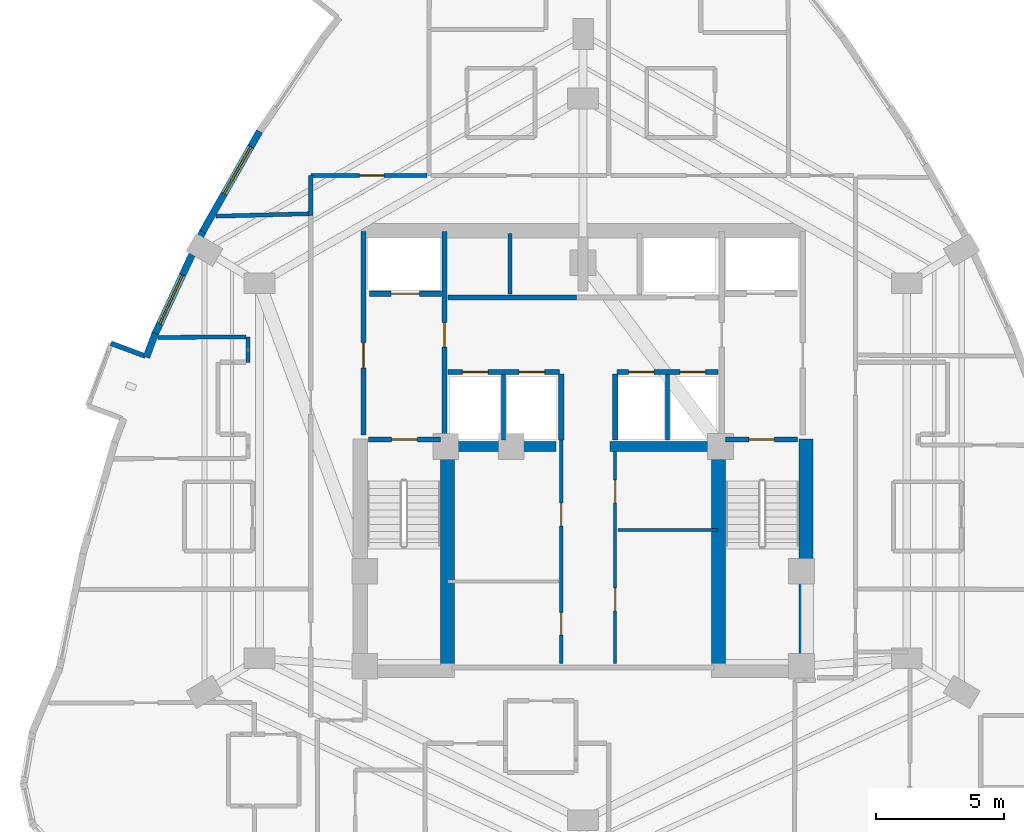
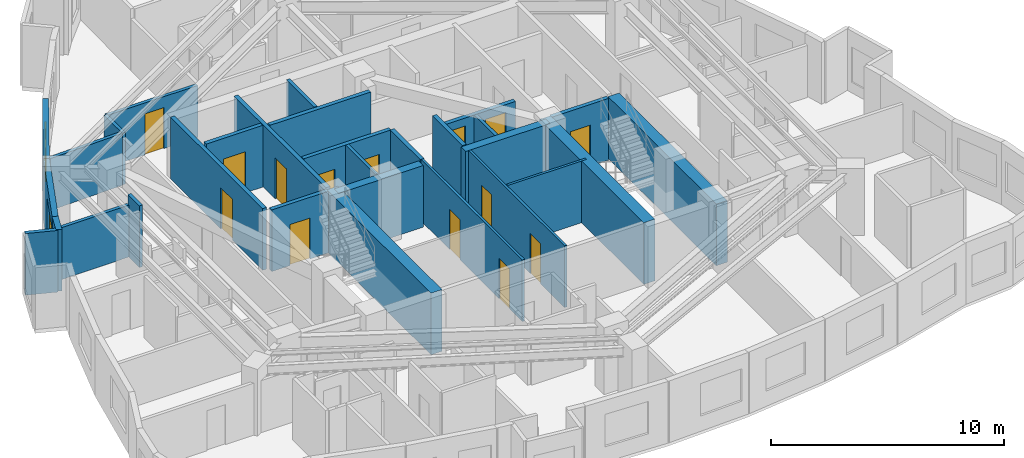
# One storey, part 10 of 14: 30 walls, 14 doors, 2 windows, 16 openings.
"""IFC4 building model written with IfcOpenShell, lengths in metres."""

from ifc_helpers import new_model, si_unit, direction, frame, frame_2d, origin, place, context, subcontext, project, spatial, rectangle, extrude, material, layer, layer_set, type_object, element, fill, save


model = new_model("IFC4")

# Units and contexts
model_context = context("Model", 3, precision=1e-05, world=origin(), true_north=direction((0.0, 1.0)))
body_context = subcontext(model_context, "Body", "Model", "MODEL_VIEW")
ifc_project = project(units=[si_unit("LENGTHUNIT", "METRE"), si_unit("AREAUNIT", "SQUARE_METRE"), si_unit("VOLUMEUNIT", "CUBIC_METRE"), si_unit("PLANEANGLEUNIT", "RADIAN"), si_unit("MASSUNIT", "GRAM", prefix="KILO")], contexts=[model_context])

# Site, building, storey
site_placement = place(None, origin())
site = spatial("IfcSite", under=ifc_project, at=site_placement, CompositionType="ELEMENT")
building_placement = place(site_placement, origin())
building = spatial("IfcBuilding", under=site, at=building_placement, Name="Miruveldt Soraemaru", CompositionType="ELEMENT")
storey_placement = place(building_placement, frame((0.0, 0.0, 128.39990234375)))
storey = spatial("IfcBuildingStorey", under=building, at=storey_placement, Name="L35", CompositionType="ELEMENT", Elevation=128.39990234375)

# Walls
ifc_material_1 = material(Name="White powder-coated aluminium EN AW-6060 T6", Category="aluminium")
ifc_layer_1 = layer(ifc_material_1, 0.18994140625, Name="White powder-coated aluminium EN AW-6060 T6", Category="aluminium")
ifc_layer_set_1 = layer_set([ifc_layer_1], Name="White powder-coated aluminium EN AW-6060 T6")
wall_type_1 = type_object("IfcWallType", Name="WALL-BAY-ALU190", PredefinedType="SOLIDWALL", material=ifc_layer_set_1)
wall_1_placement = place(storey_placement, frame((26.95556640625, 47.57373046875, 0.0), z_axis=(0.0, 0.0, 1.0), x_axis=(-0.937129361406, 0.348982177182, 0.0)))
element("IfcWall", 1, at=wall_1_placement, inside=storey, type_object=wall_type_1, Name="L35 Bay Window Side Cheek 2L", PredefinedType="SOLIDWALL", context=body_context, shape_type="SweptSolid", body=[
    extrude(rectangle(XDim=1.425048828125, YDim=0.18994140625, at=frame_2d((0.71240234375, 0.0))), origin(), (0.0, 0.0, 1.0), 3.235107421875),
])
ifc_material_2 = material(Name="Concrete C70/85 (70 MPa)", Category="concrete")
ifc_layer_2 = layer(ifc_material_2, 0.5, Name="Concrete C70/85 (70 MPa)", Category="concrete")
ifc_layer_set_2 = layer_set([ifc_layer_2], Name="Concrete C70/85 (70 MPa)")
wall_type_2 = type_object("IfcWallType", Name="WALL-BW-500", PredefinedType="SHEAR", material=ifc_layer_set_2)
for number, where, z_axis, x_axis, name in (
    (2, (38.75, 44.050048828125, 0.0), (0.0, 0.0, 1.0), (1.0, 0.0, 0.0), "L35 Core Buttress Shear Wall BW"),
    (3, (45.050048828125, 44.050048828125, 0.0), (0.0, 0.0, 1.0), (1.0, 0.0, 0.0), "L35 Core Buttress Shear Wall BE"),
):
    element("IfcWall", number, at=place(storey_placement, frame(where, z_axis=z_axis, x_axis=x_axis)), inside=storey, type_object=wall_type_2, Name=name, PredefinedType="SHEAR", context=body_context, shape_type="SweptSolid", body=[
        extrude(rectangle(XDim=4.199951171875, YDim=0.39990234375, at=frame_2d((2.10009765625, 0.0))), origin(), (0.0, 0.0, 1.0), 3.235107421875),
    ])
ifc_layer_3 = layer(ifc_material_2, 0.550048828125, Name="Concrete C70/85 (70 MPa)", Category="concrete")
ifc_layer_set_3 = layer_set([ifc_layer_3], Name="Concrete C70/85 (70 MPa)")
wall_type_3 = type_object("IfcWallType", Name="WALL-CW-550", PredefinedType="SHEAR", material=ifc_layer_set_3)
wall_2_placement = place(storey_placement, frame((52.675048828125, 35.050048828125, 0.0), z_axis=(0.0, 0.0, 1.0), x_axis=(0.0, 1.0, 0.0)))
element("IfcWall", 4, at=wall_2_placement, inside=storey, type_object=wall_type_3, Name="L35 Central Core Shear Wall E1", PredefinedType="SHEAR", context=body_context, shape_type="SweptSolid", body=[
    extrude(rectangle(XDim=9.300048828125, YDim=0.550048828125, at=frame_2d((4.64990234375, 0.0))), origin(), (0.0, 0.0, 1.0), 3.235107421875),
])
for number, where, z_axis, x_axis, name in (
    (5, (38.72509765625, 35.39990234375, 0.0), (0.0, 0.0, 1.0), (0.0, 1.0, 0.0), "L35 Central Core Shear Wall SW-INT"),
    (6, (49.27490234375, 35.39990234375, 0.0), (0.0, 0.0, 1.0), (0.0, 1.0, 0.0), "L35 Central Core Shear Wall SE-INT"),
):
    element("IfcWall", number, at=place(storey_placement, frame(where, z_axis=z_axis, x_axis=x_axis)), inside=storey, type_object=wall_type_3, Name=name, PredefinedType="SHEAR", context=body_context, shape_type="SweptSolid", body=[
        extrude(rectangle(XDim=8.9501953125, YDim=0.550048828125, at=frame_2d((4.47509765625, 0.0))), origin(), (0.0, 0.0, 1.0), 3.235107421875),
    ])

# Wall, opening, window
ifc_material_3 = material(Name="Precast concrete C45/55 (45 MPa)", Category="concrete")
ifc_layer_4 = layer(ifc_material_3, 0.27001953125, Name="Precast concrete C45/55 (45 MPa)", Category="concrete")
ifc_layer_set_4 = layer_set([ifc_layer_4], Name="Precast concrete C45/55 (45 MPa)")
wall_type_4 = type_object("IfcWallType", Name="WALL-EXT-PC270", PredefinedType="SOLIDWALL", material=ifc_layer_set_4)
wall_3_placement = place(storey_placement, frame((31.40380859375, 56.32177734375, 0.0), z_axis=(0.0, 0.0, 1.0), x_axis=(-0.493401387578, -0.869801742201, 0.0)))
wall_3 = element("IfcWall", 7, at=wall_3_placement, inside=storey, type_object=wall_type_4, Name="L35 Precast Concrete Facade Wall 10", PredefinedType="SOLIDWALL", context=body_context, shape_type="SweptSolid", body=[
    extrude(rectangle(XDim=4.498779296875, YDim=0.27001953125, at=frame_2d((2.24951171875, 0.0))), origin(), (0.0, 0.0, 1.0), 3.235107421875),
])
opening_1_placement = place(wall_3_placement, frame((0.68701171875, 0.0, 0.800048828125)))
opening_1 = element("IfcOpeningElement", 8, at=opening_1_placement, cuts=wall_3, Name="Opening WN-1", PredefinedType="OPENING", context=body_context, shape_type="SweptSolid", body=[
    extrude(rectangle(XDim=2.10009765625, YDim=1.699951171875, at=frame_2d((1.050048828125, 0.85009765625))), frame((0.0, 0.14501953125, 0.0), z_axis=(0.0, -1.0, 0.0), x_axis=(1.0, 0.0, 0.0)), (0.0, 0.0, 1.0), 0.2900390625),
])
ifc_material_4 = material(Name="Triple low-e insulated glazing", Category="glass")
window_type = type_object("IfcWindowType", Name="WIN-PUNCH-2100x1700", PartitioningType="SINGLE_PANEL", PredefinedType="WINDOW", material=ifc_material_4)
window_1_placement = place(opening_1_placement, origin())
window_1 = element("IfcWindow", 9, at=window_1_placement, inside=storey, type_object=window_type, Name="L35 Punched Triple-Glazed Window 10.1", OverallHeight=1.699951171875, OverallWidth=2.10009765625, PartitioningType="SINGLE_PANEL", PredefinedType="WINDOW", context=body_context, shape_type="SweptSolid", body=[
    extrude(rectangle(XDim=2.10009765625, YDim=1.699951171875, at=frame_2d((1.050048828125, 0.85009765625))), frame((0.0, 0.030029296875, 0.0), z_axis=(0.0, -1.0, 0.0), x_axis=(1.0, 0.0, 0.0)), (0.0, 0.0, 1.0), 0.06005859375),
])
fill(opening_1, window_1)

wall_4_placement = place(storey_placement, frame((29.21630859375, 52.470703125, 0.0), z_axis=(0.0, 0.0, 1.0), x_axis=(-0.422317939259, -0.90644776914, 0.0)))
wall_4 = element("IfcWall", 10, at=wall_4_placement, inside=storey, type_object=wall_type_4, Name="L35 Precast Concrete Facade Wall 11", PredefinedType="SOLIDWALL", context=body_context, shape_type="SweptSolid", body=[
    extrude(rectangle(XDim=4.498779296875, YDim=0.27001953125, at=frame_2d((2.24951171875, 0.0))), origin(), (0.0, 0.0, 1.0), 3.235107421875),
])
opening_2_placement = place(wall_4_placement, frame((1.9189453125, 0.0, 0.800048828125)))
opening_2 = element("IfcOpeningElement", 11, at=opening_2_placement, cuts=wall_4, Name="Opening WN-1", PredefinedType="OPENING", context=body_context, shape_type="SweptSolid", body=[
    extrude(rectangle(XDim=2.10009765625, YDim=1.699951171875, at=frame_2d((1.050048828125, 0.85009765625))), frame((0.0, 0.14501953125, 0.0), z_axis=(0.0, -1.0, 0.0), x_axis=(1.0, 0.0, 0.0)), (0.0, 0.0, 1.0), 0.2900390625),
])
window_2_placement = place(opening_2_placement, origin())
window_2 = element("IfcWindow", 12, at=window_2_placement, inside=storey, type_object=window_type, Name="L35 Punched Triple-Glazed Window 11.1", OverallHeight=1.699951171875, OverallWidth=2.10009765625, PartitioningType="SINGLE_PANEL", PredefinedType="WINDOW", context=body_context, shape_type="SweptSolid", body=[
    extrude(rectangle(XDim=2.10009765625, YDim=1.699951171875, at=frame_2d((1.050048828125, 0.85009765625))), frame((0.0, 0.030029296875, 0.0), z_axis=(0.0, -1.0, 0.0), x_axis=(1.0, 0.0, 0.0)), (0.0, 0.0, 1.0), 0.06005859375),
])
fill(opening_2, window_2)

# Wall
wall_5_placement = place(storey_placement, frame((27.343505859375, 48.45751953125, 0.0), z_axis=(0.0, 0.0, 1.0), x_axis=(-0.349130174938, -0.937074234492, 0.0)))
element("IfcWall", 13, at=wall_5_placement, inside=storey, type_object=wall_type_4, Name="L35 Precast Pier Wall 12A", PredefinedType="SOLIDWALL", context=body_context, shape_type="SweptSolid", body=[
    extrude(rectangle(XDim=0.99365234375, YDim=0.27001953125, at=frame_2d((0.496826171875, 0.0))), origin(), (0.0, 0.0, 1.0), 3.235107421875),
])

# Wall, openings, doors
ifc_material_5 = material(Name="Gypsum plasterboard lining", Category="gypsum")
ifc_layer_5 = layer(ifc_material_5, 0.1201171875, Name="Gypsum plasterboard lining", Category="gypsum")
ifc_layer_set_5 = layer_set([ifc_layer_5], Name="Gypsum plasterboard lining")
wall_type_5 = type_object("IfcWallType", Name="WALL-INT-P120", PredefinedType="PARTITIONING", material=ifc_layer_set_5)
wall_6_placement = place(storey_placement, frame((43.14990234375, 35.60009765625, 0.0), z_axis=(0.0, 0.0, 1.0), x_axis=(0.0, 1.0, 0.0)))
wall_6 = element("IfcWall", 14, at=wall_6_placement, inside=storey, type_object=wall_type_5, Name="L35 Core Compartment Wall SP-WL", PredefinedType="PARTITIONING", context=body_context, shape_type="SweptSolid", body=[
    extrude(rectangle(XDim=8.699951171875, YDim=0.1201171875, at=frame_2d((4.35009765625, 0.0))), origin(), (0.0, 0.0, 1.0), 3.235107421875),
])
opening_3_placement = place(wall_6_placement, frame((1.110107421875, 0.0, 0.0)))
opening_3 = element("IfcOpeningElement", 15, at=opening_3_placement, cuts=wall_6, Name="Opening D4", PredefinedType="OPENING", context=body_context, shape_type="SweptSolid", body=[
    extrude(rectangle(XDim=0.8798828125, YDim=2.10009765625, at=frame_2d((0.43994140625, 1.050048828125))), frame((0.0, 0.070068359375, 0.0), z_axis=(0.0, -1.0, 0.0), x_axis=(1.0, 0.0, 0.0)), (0.0, 0.0, 1.0), 0.14013671875),
])
opening_4_placement = place(wall_6_placement, frame((5.35009765625, 0.0, 0.0)))
opening_4 = element("IfcOpeningElement", 16, at=opening_4_placement, cuts=wall_6, Name="Opening D3", PredefinedType="OPENING", context=body_context, shape_type="SweptSolid", body=[
    extrude(rectangle(XDim=0.89990234375, YDim=2.10009765625, at=frame_2d((0.449951171875, 1.050048828125))), frame((0.0, 0.070068359375, 0.0), z_axis=(0.0, -1.0, 0.0), x_axis=(1.0, 0.0, 0.0)), (0.0, 0.0, 1.0), 0.14013671875),
])
ifc_material_6 = material(Name="Anodised aluminium EN AW-6063 T6", Category="aluminium")
door_type_1 = type_object("IfcDoorType", Name="DOOR-INT-880", OperationType="NOTDEFINED", PredefinedType="DOOR", material=ifc_material_6)
door_1_placement = place(opening_3_placement, origin())
door_1 = element("IfcDoor", 17, at=door_1_placement, inside=storey, type_object=door_type_1, Name="L35 Fire Door", OperationType="SINGLE_SWING_LEFT", OverallHeight=2.10009765625, OverallWidth=0.8798828125, PredefinedType="DOOR", context=body_context, shape_type="SweptSolid", body=[
    extrude(rectangle(XDim=0.8798828125, YDim=2.10009765625, at=frame_2d((0.43994140625, 1.050048828125))), frame((0.0, 0.02490234375, 0.0), z_axis=(0.0, -1.0, 0.0), x_axis=(1.0, 0.0, 0.0)), (0.0, 0.0, 1.0), 0.050048828125),
])
fill(opening_3, door_1)
door_type_2 = type_object("IfcDoorType", Name="DOOR-INT-900", OperationType="NOTDEFINED", PredefinedType="DOOR", material=ifc_material_6)
door_2_placement = place(opening_4_placement, origin())
door_2 = element("IfcDoor", 18, at=door_2_placement, inside=storey, type_object=door_type_2, Name="L35 Fire Door", OperationType="SINGLE_SWING_LEFT", OverallHeight=2.10009765625, OverallWidth=0.89990234375, PredefinedType="DOOR", context=body_context, shape_type="SweptSolid", body=[
    extrude(rectangle(XDim=0.89990234375, YDim=2.10009765625, at=frame_2d((0.449951171875, 1.050048828125))), frame((0.0, 0.02490234375, 0.0), z_axis=(0.0, -1.0, 0.0), x_axis=(1.0, 0.0, 0.0)), (0.0, 0.0, 1.0), 0.050048828125),
])
fill(opening_4, door_2)

wall_7_placement = place(storey_placement, frame((45.25, 35.60009765625, 0.0), z_axis=(0.0, 0.0, 1.0), x_axis=(0.0, 1.0, 0.0)))
wall_7 = element("IfcWall", 19, at=wall_7_placement, inside=storey, type_object=wall_type_5, Name="L35 Core Compartment Wall SP-EL", PredefinedType="PARTITIONING", context=body_context, shape_type="SweptSolid", body=[
    extrude(rectangle(XDim=8.25, YDim=0.1201171875, at=frame_2d((4.125, 0.0))), origin(), (0.0, 0.0, 1.0), 3.235107421875),
])
opening_5_placement = place(wall_7_placement, frame((2.050048828125, 0.0, 0.0)))
opening_5 = element("IfcOpeningElement", 20, at=opening_5_placement, cuts=wall_7, Name="Opening D3", PredefinedType="OPENING", context=body_context, shape_type="SweptSolid", body=[
    extrude(rectangle(XDim=0.89990234375, YDim=2.10009765625, at=frame_2d((0.449951171875, 1.050048828125))), frame((0.0, 0.070068359375, 0.0), z_axis=(0.0, -1.0, 0.0), x_axis=(1.0, 0.0, 0.0)), (0.0, 0.0, 1.0), 0.14013671875),
])
opening_6_placement = place(wall_7_placement, frame((6.260009765625, 0.0, 0.0)))
opening_6 = element("IfcOpeningElement", 21, at=opening_6_placement, cuts=wall_7, Name="Opening D4", PredefinedType="OPENING", context=body_context, shape_type="SweptSolid", body=[
    extrude(rectangle(XDim=0.8798828125, YDim=2.10009765625, at=frame_2d((0.43994140625, 1.050048828125))), frame((0.0, 0.070068359375, 0.0), z_axis=(0.0, -1.0, 0.0), x_axis=(1.0, 0.0, 0.0)), (0.0, 0.0, 1.0), 0.14013671875),
])
door_3_placement = place(opening_6_placement, origin())
door_3 = element("IfcDoor", 22, at=door_3_placement, inside=storey, type_object=door_type_1, Name="L35 Fire Door", OperationType="SINGLE_SWING_LEFT", OverallHeight=2.10009765625, OverallWidth=0.8798828125, PredefinedType="DOOR", context=body_context, shape_type="SweptSolid", body=[
    extrude(rectangle(XDim=0.8798828125, YDim=2.10009765625, at=frame_2d((0.43994140625, 1.050048828125))), frame((0.0, 0.02490234375, 0.0), z_axis=(0.0, -1.0, 0.0), x_axis=(1.0, 0.0, 0.0)), (0.0, 0.0, 1.0), 0.050048828125),
])
fill(opening_6, door_3)
door_4_placement = place(opening_5_placement, origin())
door_4 = element("IfcDoor", 23, at=door_4_placement, inside=storey, type_object=door_type_2, Name="L35 Fire Door", OperationType="SINGLE_SWING_LEFT", OverallHeight=2.10009765625, OverallWidth=0.89990234375, PredefinedType="DOOR", context=body_context, shape_type="SweptSolid", body=[
    extrude(rectangle(XDim=0.89990234375, YDim=2.10009765625, at=frame_2d((0.449951171875, 1.050048828125))), frame((0.0, 0.02490234375, 0.0), z_axis=(0.0, -1.0, 0.0), x_axis=(1.0, 0.0, 0.0)), (0.0, 0.0, 1.0), 0.050048828125),
])
fill(opening_5, door_4)

# Wall
wall_8_placement = place(storey_placement, frame((45.35009765625, 40.800048828125, 0.0), z_axis=(0.0, 0.0, 1.0), x_axis=(1.0, 0.0, 0.0)))
element("IfcWall", 24, at=wall_8_placement, inside=storey, type_object=wall_type_5, Name="L35 Core Compartment Wall RL-E2H", PredefinedType="PARTITIONING", context=body_context, shape_type="SweptSolid", body=[
    extrude(rectangle(XDim=3.89990234375, YDim=0.1201171875, at=frame_2d((1.949951171875, 0.0))), origin(), (0.0, 0.0, 1.0), 3.235107421875),
])

# Wall, opening, door
ifc_material_7 = material(Name="Concrete C40/50 (40 MPa)", Category="concrete")
ifc_layer_6 = layer(ifc_material_7, 0.159912109375, Name="Concrete C40/50 (40 MPa)", Category="concrete")
ifc_layer_set_6 = layer_set([ifc_layer_6], Name="Concrete C40/50 (40 MPa)")
wall_type_6 = type_object("IfcWallType", Name="WALL-INT-RC160", PredefinedType="SOLIDWALL", material=ifc_layer_set_6)
wall_9_placement = place(storey_placement, frame((37.9169921875, 54.60009765625, 0.0), z_axis=(0.0, 0.0, 1.0), x_axis=(-1.0, 0.0, 0.0)))
wall_9 = element("IfcWall", 25, at=wall_9_placement, inside=storey, type_object=wall_type_6, Name="L35 Partition Wall 1", PredefinedType="SOLIDWALL", context=body_context, shape_type="SweptSolid", body=[
    extrude(rectangle(XDim=4.51708984375, YDim=0.159912109375, at=frame_2d((2.258544921875, 0.0))), origin(), (0.0, 0.0, 1.0), 2.72314453125),
])
opening_7_placement = place(wall_9_placement, frame((1.674072265625, 0.0, 0.0)))
opening_7 = element("IfcOpeningElement", 26, at=opening_7_placement, cuts=wall_9, Name="Opening FD2", PredefinedType="OPENING", context=body_context, shape_type="SweptSolid", body=[
    extrude(rectangle(XDim=0.949951171875, YDim=2.14990234375, at=frame_2d((0.47509765625, 1.074951171875))), frame((0.0, 0.08984375, 0.0), z_axis=(0.0, -1.0, 0.0), x_axis=(1.0, 0.0, 0.0)), (0.0, 0.0, 1.0), 0.179931640625),
])
door_type_3 = type_object("IfcDoorType", Name="DOOR-FD2-950", OperationType="NOTDEFINED", PredefinedType="DOOR", material=ifc_material_6)
door_5_placement = place(opening_7_placement, origin())
door_5 = element("IfcDoor", 27, at=door_5_placement, inside=storey, type_object=door_type_3, Name="L35 Unit CL01 Entrance Fire Door", OperationType="SINGLE_SWING_LEFT", OverallHeight=2.14990234375, OverallWidth=0.949951171875, PredefinedType="DOOR", context=body_context, shape_type="SweptSolid", body=[
    extrude(rectangle(XDim=0.949951171875, YDim=2.14990234375, at=frame_2d((0.47509765625, 1.074951171875))), frame((0.0, 0.02490234375, 0.0), z_axis=(0.0, -1.0, 0.0), x_axis=(1.0, 0.0, 0.0)), (0.0, 0.0, 1.0), 0.050048828125),
])
fill(opening_7, door_5)

# Walls
wall_10_placement = place(storey_placement, frame((29.701904296875, 53.01708984375, 0.0), z_axis=(0.0, 0.0, 1.0), x_axis=(0.999649675951, 0.026467439844, 0.0)))
element("IfcWall", 28, at=wall_10_placement, inside=storey, type_object=wall_type_6, Name="L35 Partition Wall 16", PredefinedType="SOLIDWALL", context=body_context, shape_type="SweptSolid", body=[
    extrude(rectangle(XDim=3.63427734375, YDim=0.159912109375, at=frame_2d((1.817138671875, 0.0))), origin(), (0.0, 0.0, 1.0), 2.72314453125),
])
wall_11_placement = place(storey_placement, frame((27.444091796875, 48.297119140625, 0.0), z_axis=(0.0, 0.0, 1.0), x_axis=(0.999977565828, 0.006698346126, 0.0)))
element("IfcWall", 29, at=wall_11_placement, inside=storey, type_object=wall_type_6, Name="L35 Partition Wall 42", PredefinedType="SOLIDWALL", context=body_context, shape_type="SweptSolid", body=[
    extrude(rectangle(XDim=3.426025390625, YDim=0.159912109375, at=frame_2d((1.712890625, 0.0))), origin(), (0.0, 0.0, 1.0), 2.72314453125),
])
wall_12_placement = place(storey_placement, frame((40.89990234375, 44.300048828125, 0.0), z_axis=(0.0, 0.0, 1.0), x_axis=(0.0, 1.0, 0.0)))
element("IfcWall", 30, at=wall_12_placement, inside=storey, type_object=wall_type_6, Name="L35 Core Compartment Wall PLM-DW", PredefinedType="SOLIDWALL", context=body_context, shape_type="SweptSolid", body=[
    extrude(rectangle(XDim=2.550048828125, YDim=0.159912109375, at=frame_2d((1.27490234375, 0.0))), origin(), (0.0, 0.0, 1.0), 3.235107421875),
])
wall_13_placement = place(storey_placement, frame((47.280029296875, 44.300048828125, 0.0), z_axis=(0.0, 0.0, 1.0), x_axis=(0.0, 1.0, 0.0)))
element("IfcWall", 31, at=wall_13_placement, inside=storey, type_object=wall_type_6, Name="L35 Core Compartment Wall PLM-DE", PredefinedType="SOLIDWALL", context=body_context, shape_type="SweptSolid", body=[
    extrude(rectangle(XDim=2.550048828125, YDim=0.159912109375, at=frame_2d((1.27490234375, 0.0))), origin(), (0.0, 0.0, 1.0), 2.572998046875),
])
wall_14_placement = place(storey_placement, frame((41.14990234375, 49.97998046875, 0.0), z_axis=(0.0, 0.0, 1.0), x_axis=(0.0, 1.0, 0.0)))
element("IfcWall", 32, at=wall_14_placement, inside=storey, type_object=wall_type_6, Name="L35 Core Compartment Wall PLH-DIV1", PredefinedType="SOLIDWALL", context=body_context, shape_type="SweptSolid", body=[
    extrude(rectangle(XDim=2.3701171875, YDim=0.159912109375, at=frame_2d((1.18505859375, 0.0))), origin(), (0.0, 0.0, 1.0), 3.235107421875),
])
wall_15_placement = place(storey_placement, frame((33.39990234375, 54.60009765625, 0.0), z_axis=(0.0, 0.0, 1.0), x_axis=(0.0, -1.0, 0.0)))
element("IfcWall", 33, at=wall_15_placement, inside=storey, type_object=wall_type_6, Name="L35 Partition Wall 2", PredefinedType="SOLIDWALL", context=body_context, shape_type="SweptSolid", body=[
    extrude(rectangle(XDim=1.547119140625, YDim=0.159912109375, at=frame_2d((0.7734375, 0.0))), origin(), (0.0, 0.0, 1.0), 2.72314453125),
])
wall_16_placement = place(storey_placement, frame((30.949951171875, 48.321044921875, 0.0), z_axis=(0.0, 0.0, 1.0), x_axis=(0.0, -1.0, 0.0)))
element("IfcWall", 34, at=wall_16_placement, inside=storey, type_object=wall_type_6, Name="L35 Partition Wall 43", PredefinedType="SOLIDWALL", context=body_context, shape_type="SweptSolid", body=[
    extrude(rectangle(XDim=0.990966796875, YDim=0.159912109375, at=frame_2d((0.49560546875, 0.0))), origin(), (0.0, 0.0, 1.0), 3.235107421875),
])

# Wall, opening, door
ifc_layer_7 = layer(ifc_material_7, 0.199951171875, Name="Concrete C40/50 (40 MPa)", Category="concrete")
ifc_layer_set_7 = layer_set([ifc_layer_7], Name="Concrete C40/50 (40 MPa)")
wall_type_7 = type_object("IfcWallType", Name="WALL-INT-RC200", PredefinedType="SOLIDWALL", material=ifc_layer_set_7)
wall_17_placement = place(storey_placement, frame((35.449951171875, 44.5, 0.0), z_axis=(0.0, 0.0, 1.0), x_axis=(0.0, 1.0, 0.0)))
wall_17 = element("IfcWall", 35, at=wall_17_placement, inside=storey, type_object=wall_type_7, Name="L35 Core Compartment Wall FFW-OUT", PredefinedType="SOLIDWALL", context=body_context, shape_type="SweptSolid", body=[
    extrude(rectangle(XDim=7.919921875, YDim=0.199951171875, at=frame_2d((3.9599609375, 0.0))), origin(), (0.0, 0.0, 1.0), 3.235107421875),
])
opening_8_placement = place(wall_17_placement, frame((2.60009765625, 0.0, 0.0)))
opening_8 = element("IfcOpeningElement", 36, at=opening_8_placement, cuts=wall_17, Name="Opening FD1", PredefinedType="OPENING", context=body_context, shape_type="SweptSolid", body=[
    extrude(rectangle(XDim=1.0, YDim=2.14990234375, at=frame_2d((0.5, 1.074951171875))), frame((0.0, 0.10986328125, 0.0), z_axis=(0.0, -1.0, 0.0), x_axis=(1.0, 0.0, 0.0)), (0.0, 0.0, 1.0), 0.219970703125),
])
door_type_4 = type_object("IfcDoorType", Name="DOOR-FD1-1000", OperationType="NOTDEFINED", PredefinedType="DOOR", material=ifc_material_6)
door_6_placement = place(opening_8_placement, origin())
door_6 = element("IfcDoor", 37, at=door_6_placement, inside=storey, type_object=door_type_4, Name="L35 West Firefighting Lobby Exit Door", OperationType="SINGLE_SWING_LEFT", OverallHeight=2.14990234375, OverallWidth=1.0, PredefinedType="DOOR", context=body_context, shape_type="SweptSolid", body=[
    extrude(rectangle(XDim=1.0, YDim=2.14990234375, at=frame_2d((0.5, 1.074951171875))), frame((0.0, 0.02490234375, 0.0), z_axis=(0.0, -1.0, 0.0), x_axis=(1.0, 0.0, 0.0)), (0.0, 0.0, 1.0), 0.050048828125),
])
fill(opening_8, door_6)

wall_18_placement = place(storey_placement, frame((38.60009765625, 44.5, 0.0), z_axis=(0.0, 0.0, 1.0), x_axis=(0.0, 1.0, 0.0)))
wall_18 = element("IfcWall", 38, at=wall_18_placement, inside=storey, type_object=wall_type_7, Name="L35 Core Compartment Wall FFW-IN", PredefinedType="SOLIDWALL", context=body_context, shape_type="SweptSolid", body=[
    extrude(rectangle(XDim=7.919921875, YDim=0.199951171875, at=frame_2d((3.9599609375, 0.0))), origin(), (0.0, 0.0, 1.0), 3.235107421875),
])
opening_9_placement = place(wall_18_placement, frame((3.425048828125, 0.0, 0.0)))
opening_9 = element("IfcOpeningElement", 39, at=opening_9_placement, cuts=wall_18, Name="Opening FD2", PredefinedType="OPENING", context=body_context, shape_type="SweptSolid", body=[
    extrude(rectangle(XDim=0.949951171875, YDim=2.14990234375, at=frame_2d((0.47509765625, 1.074951171875))), frame((0.0, 0.10986328125, 0.0), z_axis=(0.0, -1.0, 0.0), x_axis=(1.0, 0.0, 0.0)), (0.0, 0.0, 1.0), 0.219970703125),
])
door_7_placement = place(opening_9_placement, frame((0.949951171875, 0.0, 0.0), z_axis=(0.0, 0.0, 1.0), x_axis=(-1.0, 0.0, 0.0)))
door_7 = element("IfcDoor", 40, at=door_7_placement, inside=storey, type_object=door_type_3, Name="L35 Lift Lobby to West Fire Lobby Door", OperationType="SINGLE_SWING_RIGHT", OverallHeight=2.14990234375, OverallWidth=0.949951171875, PredefinedType="DOOR", context=body_context, shape_type="SweptSolid", body=[
    extrude(rectangle(XDim=0.949951171875, YDim=2.14990234375, at=frame_2d((0.47509765625, 1.074951171875))), frame((0.0, 0.02490234375, 0.0), z_axis=(0.0, -1.0, 0.0), x_axis=(1.0, 0.0, 0.0)), (0.0, 0.0, 1.0), 0.050048828125),
])
fill(opening_9, door_7)

# Wall, openings, doors
wall_19_placement = place(storey_placement, frame((38.75, 46.949951171875, 0.0), z_axis=(0.0, 0.0, 1.0), x_axis=(1.0, 0.0, 0.0)))
wall_19 = element("IfcWall", 41, at=wall_19_placement, inside=storey, type_object=wall_type_7, Name="L35 Core Compartment Wall MBW-N", PredefinedType="SOLIDWALL", context=body_context, shape_type="SweptSolid", body=[
    extrude(rectangle(XDim=4.330078125, YDim=0.199951171875, at=frame_2d((2.1650390625, 0.0))), origin(), (0.0, 0.0, 1.0), 3.235107421875),
])
opening_10_placement = place(wall_19_placement, frame((0.550048828125, 0.0, 0.0)))
opening_10 = element("IfcOpeningElement", 42, at=opening_10_placement, cuts=wall_19, Name="Opening LD1B", PredefinedType="OPENING", context=body_context, shape_type="SweptSolid", body=[
    extrude(rectangle(XDim=1.0, YDim=2.14990234375, at=frame_2d((0.5, 1.074951171875))), frame((0.0, 0.10986328125, 0.0), z_axis=(0.0, -1.0, 0.0), x_axis=(1.0, 0.0, 0.0)), (0.0, 0.0, 1.0), 0.219970703125),
])
opening_11_placement = place(wall_19_placement, frame((2.75, 0.0, 0.0)))
opening_11 = element("IfcOpeningElement", 43, at=opening_11_placement, cuts=wall_19, Name="Opening LD1B", PredefinedType="OPENING", context=body_context, shape_type="SweptSolid", body=[
    extrude(rectangle(XDim=1.0, YDim=2.14990234375, at=frame_2d((0.5, 1.074951171875))), frame((0.0, 0.10986328125, 0.0), z_axis=(0.0, -1.0, 0.0), x_axis=(1.0, 0.0, 0.0)), (0.0, 0.0, 1.0), 0.219970703125),
])
door_type_5 = type_object("IfcDoorType", Name="DOOR-LD1-1000", OperationType="SLIDING_TO_LEFT", PredefinedType="DOOR", material=ifc_material_6)
door_8_placement = place(opening_10_placement, origin())
door_8 = element("IfcDoor", 44, at=door_8_placement, inside=storey, type_object=door_type_5, Name="L35 PL-M1 Landing Door", OperationType="SLIDING_TO_LEFT", OverallHeight=2.14990234375, OverallWidth=1.0, PredefinedType="DOOR", context=body_context, shape_type="SweptSolid", body=[
    extrude(rectangle(XDim=1.0, YDim=2.14990234375, at=frame_2d((0.5, 1.074951171875))), frame((0.0, 0.02490234375, 0.0), z_axis=(0.0, -1.0, 0.0), x_axis=(1.0, 0.0, 0.0)), (0.0, 0.0, 1.0), 0.050048828125),
])
fill(opening_10, door_8)
door_9_placement = place(opening_11_placement, origin())
door_9 = element("IfcDoor", 45, at=door_9_placement, inside=storey, type_object=door_type_5, Name="L35 PL-M2 Landing Door", OperationType="SLIDING_TO_LEFT", OverallHeight=2.14990234375, OverallWidth=1.0, PredefinedType="DOOR", context=body_context, shape_type="SweptSolid", body=[
    extrude(rectangle(XDim=1.0, YDim=2.14990234375, at=frame_2d((0.5, 1.074951171875))), frame((0.0, 0.02490234375, 0.0), z_axis=(0.0, -1.0, 0.0), x_axis=(1.0, 0.0, 0.0)), (0.0, 0.0, 1.0), 0.050048828125),
])
fill(opening_11, door_9)

wall_20_placement = place(storey_placement, frame((45.320068359375, 46.949951171875, 0.0), z_axis=(0.0, 0.0, 1.0), x_axis=(1.0, 0.0, 0.0)))
wall_20 = element("IfcWall", 46, at=wall_20_placement, inside=storey, type_object=wall_type_7, Name="L35 Core Compartment Wall MBE-N", PredefinedType="SOLIDWALL", context=body_context, shape_type="SweptSolid", body=[
    extrude(rectangle(XDim=3.929931640625, YDim=0.199951171875, at=frame_2d((1.96484375, 0.0))), origin(), (0.0, 0.0, 1.0), 2.572998046875),
])
opening_12_placement = place(wall_20_placement, frame((0.449951171875, 0.0, 0.0)))
opening_12 = element("IfcOpeningElement", 47, at=opening_12_placement, cuts=wall_20, Name="Opening LD1B", PredefinedType="OPENING", context=body_context, shape_type="SweptSolid", body=[
    extrude(rectangle(XDim=1.0, YDim=2.14990234375, at=frame_2d((0.5, 1.074951171875))), frame((0.0, 0.10986328125, 0.0), z_axis=(0.0, -1.0, 0.0), x_axis=(1.0, 0.0, 0.0)), (0.0, 0.0, 1.0), 0.219970703125),
])
opening_13_placement = place(wall_20_placement, frame((2.449951171875, 0.0, 0.0)))
opening_13 = element("IfcOpeningElement", 48, at=opening_13_placement, cuts=wall_20, Name="Opening LD1B", PredefinedType="OPENING", context=body_context, shape_type="SweptSolid", body=[
    extrude(rectangle(XDim=1.0, YDim=2.14990234375, at=frame_2d((0.5, 1.074951171875))), frame((0.0, 0.10986328125, 0.0), z_axis=(0.0, -1.0, 0.0), x_axis=(1.0, 0.0, 0.0)), (0.0, 0.0, 1.0), 0.219970703125),
])
door_10_placement = place(opening_12_placement, origin())
door_10 = element("IfcDoor", 49, at=door_10_placement, inside=storey, type_object=door_type_5, Name="L35 PL-M3 Landing Door", OperationType="SLIDING_TO_LEFT", OverallHeight=2.14990234375, OverallWidth=1.0, PredefinedType="DOOR", context=body_context, shape_type="SweptSolid", body=[
    extrude(rectangle(XDim=1.0, YDim=2.14990234375, at=frame_2d((0.5, 1.074951171875))), frame((0.0, 0.02490234375, 0.0), z_axis=(0.0, -1.0, 0.0), x_axis=(1.0, 0.0, 0.0)), (0.0, 0.0, 1.0), 0.050048828125),
])
fill(opening_12, door_10)
door_11_placement = place(opening_13_placement, origin())
door_11 = element("IfcDoor", 50, at=door_11_placement, inside=storey, type_object=door_type_5, Name="L35 PL-M4 Landing Door", OperationType="SLIDING_TO_LEFT", OverallHeight=2.14990234375, OverallWidth=1.0, PredefinedType="DOOR", context=body_context, shape_type="SweptSolid", body=[
    extrude(rectangle(XDim=1.0, YDim=2.14990234375, at=frame_2d((0.5, 1.074951171875))), frame((0.0, 0.02490234375, 0.0), z_axis=(0.0, -1.0, 0.0), x_axis=(1.0, 0.0, 0.0)), (0.0, 0.0, 1.0), 0.050048828125),
])
fill(opening_13, door_11)

# Wall, opening, door
wall_21_placement = place(storey_placement, frame((35.64990234375, 44.320068359375, 0.0), z_axis=(0.0, 0.0, 1.0), x_axis=(1.0, 0.0, 0.0)))
wall_21 = element("IfcWall", 51, at=wall_21_placement, inside=storey, type_object=wall_type_7, Name="L35 Core Compartment Wall ST1-N", PredefinedType="SOLIDWALL", context=body_context, shape_type="SweptSolid", body=[
    extrude(rectangle(XDim=2.800048828125, YDim=0.199951171875, at=frame_2d((1.39990234375, 0.0))), origin(), (0.0, 0.0, 1.0), 3.235107421875),
])
opening_14_placement = place(wall_21_placement, frame((0.89990234375, 0.0, 0.0)))
opening_14 = element("IfcOpeningElement", 52, at=opening_14_placement, cuts=wall_21, Name="Opening FD1", PredefinedType="OPENING", context=body_context, shape_type="SweptSolid", body=[
    extrude(rectangle(XDim=1.0, YDim=2.14990234375, at=frame_2d((0.5, 1.074951171875))), frame((0.0, 0.10986328125, 0.0), z_axis=(0.0, -1.0, 0.0), x_axis=(1.0, 0.0, 0.0)), (0.0, 0.0, 1.0), 0.219970703125),
])
door_12_placement = place(opening_14_placement, frame((1.0, 0.0, 0.0), z_axis=(0.0, 0.0, 1.0), x_axis=(-1.0, 0.0, 0.0)))
door_12 = element("IfcDoor", 53, at=door_12_placement, inside=storey, type_object=door_type_4, Name="L35 Stair ST-1 Fire Door", OperationType="SINGLE_SWING_LEFT", OverallHeight=2.14990234375, OverallWidth=1.0, PredefinedType="DOOR", context=body_context, shape_type="SweptSolid", body=[
    extrude(rectangle(XDim=1.0, YDim=2.14990234375, at=frame_2d((0.5, 1.074951171875))), frame((0.0, 0.02490234375, 0.0), z_axis=(0.0, -1.0, 0.0), x_axis=(1.0, 0.0, 0.0)), (0.0, 0.0, 1.0), 0.050048828125),
])
fill(opening_14, door_12)

wall_22_placement = place(storey_placement, frame((49.550048828125, 44.320068359375, 0.0), z_axis=(0.0, 0.0, 1.0), x_axis=(1.0, 0.0, 0.0)))
wall_22 = element("IfcWall", 54, at=wall_22_placement, inside=storey, type_object=wall_type_7, Name="L35 Core Compartment Wall ST2-N", PredefinedType="SOLIDWALL", context=body_context, shape_type="SweptSolid", body=[
    extrude(rectangle(XDim=2.800048828125, YDim=0.199951171875, at=frame_2d((1.39990234375, 0.0))), origin(), (0.0, 0.0, 1.0), 3.235107421875),
])
opening_15_placement = place(wall_22_placement, frame((0.89990234375, 0.0, 0.0)))
opening_15 = element("IfcOpeningElement", 55, at=opening_15_placement, cuts=wall_22, Name="Opening FD1", PredefinedType="OPENING", context=body_context, shape_type="SweptSolid", body=[
    extrude(rectangle(XDim=1.0, YDim=2.14990234375, at=frame_2d((0.5, 1.074951171875))), frame((0.0, 0.10986328125, 0.0), z_axis=(0.0, -1.0, 0.0), x_axis=(1.0, 0.0, 0.0)), (0.0, 0.0, 1.0), 0.219970703125),
])
door_13_placement = place(opening_15_placement, frame((1.0, 0.0, 0.0), z_axis=(0.0, 0.0, 1.0), x_axis=(-1.0, 0.0, 0.0)))
door_13 = element("IfcDoor", 56, at=door_13_placement, inside=storey, type_object=door_type_4, Name="L35 Stair ST-2 Fire Door", OperationType="SINGLE_SWING_RIGHT", OverallHeight=2.14990234375, OverallWidth=1.0, PredefinedType="DOOR", context=body_context, shape_type="SweptSolid", body=[
    extrude(rectangle(XDim=1.0, YDim=2.14990234375, at=frame_2d((0.5, 1.074951171875))), frame((0.0, 0.02490234375, 0.0), z_axis=(0.0, -1.0, 0.0), x_axis=(1.0, 0.0, 0.0)), (0.0, 0.0, 1.0), 0.050048828125),
])
fill(opening_15, door_13)

wall_23_placement = place(storey_placement, frame((35.679931640625, 50.0, 0.0), z_axis=(0.0, 0.0, 1.0), x_axis=(1.0, 0.0, 0.0)))
wall_23 = element("IfcWall", 57, at=wall_23_placement, inside=storey, type_object=wall_type_7, Name="L35 Core Compartment Wall FFL1-S", PredefinedType="SOLIDWALL", context=body_context, shape_type="SweptSolid", body=[
    extrude(rectangle(XDim=2.800048828125, YDim=0.199951171875, at=frame_2d((1.39990234375, 0.0))), origin(), (0.0, 0.0, 1.0), 3.235107421875),
])
opening_16_placement = place(wall_23_placement, frame((0.85009765625, 0.0, 0.0)))
opening_16 = element("IfcOpeningElement", 58, at=opening_16_placement, cuts=wall_23, Name="Opening LD2", PredefinedType="OPENING", context=body_context, shape_type="SweptSolid", body=[
    extrude(rectangle(XDim=1.10009765625, YDim=2.14990234375, at=frame_2d((0.550048828125, 1.074951171875))), frame((0.0, 0.10986328125, 0.0), z_axis=(0.0, -1.0, 0.0), x_axis=(1.0, 0.0, 0.0)), (0.0, 0.0, 1.0), 0.219970703125),
])
door_type_6 = type_object("IfcDoorType", Name="DOOR-LD2-1100", OperationType="SLIDING_TO_LEFT", PredefinedType="DOOR", material=ifc_material_6)
door_14_placement = place(opening_16_placement, origin())
door_14 = element("IfcDoor", 59, at=door_14_placement, inside=storey, type_object=door_type_6, Name="L35 FFL-1 Landing Door", OperationType="SLIDING_TO_LEFT", OverallHeight=2.14990234375, OverallWidth=1.10009765625, PredefinedType="DOOR", context=body_context, shape_type="SweptSolid", body=[
    extrude(rectangle(XDim=1.10009765625, YDim=2.14990234375, at=frame_2d((0.550048828125, 1.074951171875))), frame((0.0, 0.02490234375, 0.0), z_axis=(0.0, -1.0, 0.0), x_axis=(1.0, 0.0, 0.0)), (0.0, 0.0, 1.0), 0.050048828125),
])
fill(opening_16, door_14)

# Walls
wall_24_placement = place(storey_placement, frame((38.75, 49.85009765625, 0.0), z_axis=(0.0, 0.0, 1.0), x_axis=(1.0, 0.0, 0.0)))
element("IfcWall", 60, at=wall_24_placement, inside=storey, type_object=wall_type_7, Name="L35 Core Compartment Wall ROWA-SW", PredefinedType="SOLIDWALL", context=body_context, shape_type="SweptSolid", body=[
    extrude(rectangle(XDim=5.0, YDim=0.199951171875, at=frame_2d((2.5, 0.0))), origin(), (0.0, 0.0, 1.0), 3.235107421875),
])
for number, where, z_axis, x_axis, name in (
    (61, (43.14990234375, 44.300048828125, 0.0), (0.0, 0.0, 1.0), (0.0, 1.0, 0.0), "L35 Core Compartment Wall SP-WB"),
    (62, (45.25, 44.300048828125, 0.0), (0.0, 0.0, 1.0), (0.0, 1.0, 0.0), "L35 Core Compartment Wall SP-EB"),
):
    element("IfcWall", number, at=place(storey_placement, frame(where, z_axis=z_axis, x_axis=x_axis)), inside=storey, type_object=wall_type_7, Name=name, PredefinedType="SOLIDWALL", context=body_context, shape_type="SweptSolid", body=[
        extrude(rectangle(XDim=2.579833984375, YDim=0.199951171875, at=frame_2d((1.2900390625, 0.0))), origin(), (0.0, 0.0, 1.0), 3.235107421875),
    ])

save(model, "model.ifc")
